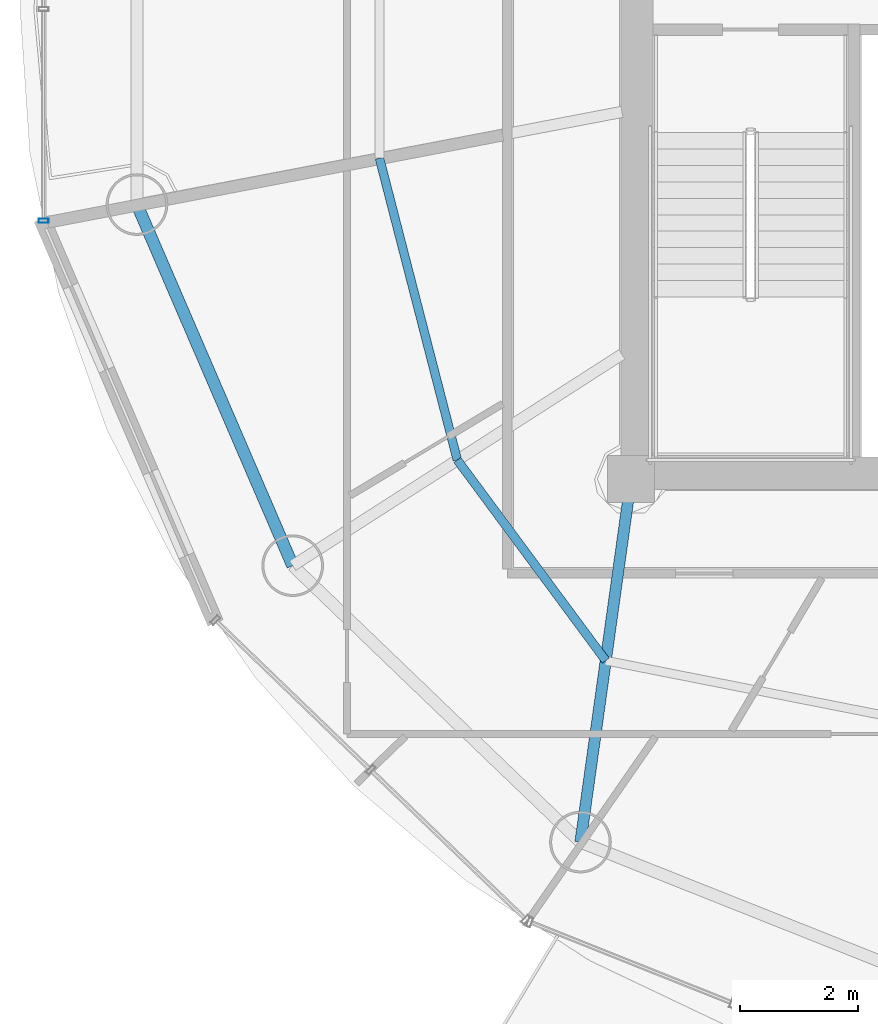
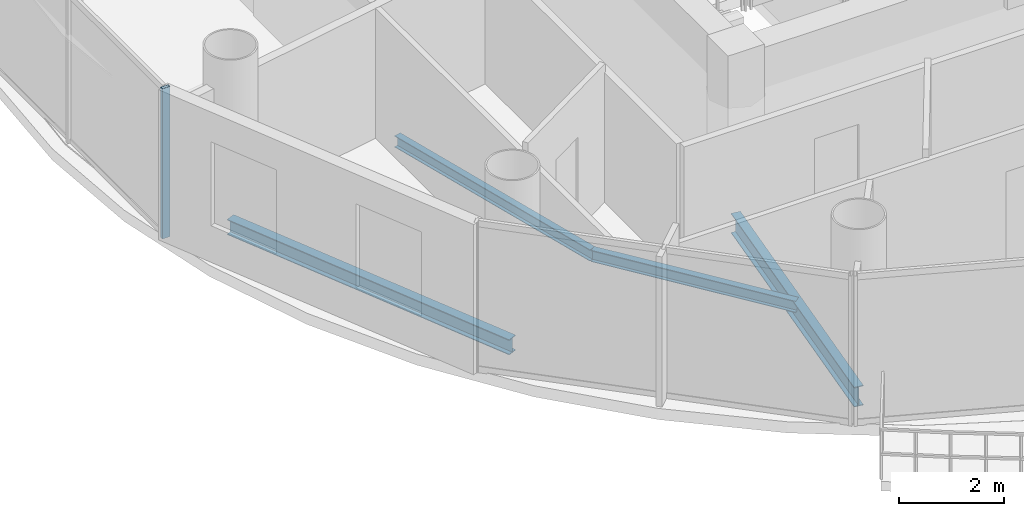
# One storey, part 4 of 23: 4 beams, 1 member, 1 element without a shape of its own.
"""IFC4 building model written with IfcOpenShell, lengths in metres."""

from ifc_helpers import new_model, si_unit, direction, frame, origin, origin_2d, place, context, subcontext, project, spatial, hollow_rectangle, i_section, extrude, source, transform, mapped, material, material_profile, profile_set, type_object, element, aggregate, save


model = new_model("IFC4")

# Units and contexts
model_context = context("Model", 3, precision=1e-05, world=origin(), true_north=direction((-0.2419218956, 0.970295726276)))
body_context = subcontext(model_context, "Body", "Model", "MODEL_VIEW")
ifc_project = project(units=[si_unit("LENGTHUNIT", "METRE"), si_unit("AREAUNIT", "SQUARE_METRE"), si_unit("VOLUMEUNIT", "CUBIC_METRE"), si_unit("PLANEANGLEUNIT", "RADIAN"), si_unit("MASSUNIT", "GRAM", prefix="KILO")], contexts=[model_context])

# Site, building, storey
site_placement = place(None, origin())
site = spatial("IfcSite", under=ifc_project, at=site_placement, CompositionType="ELEMENT")
building_placement = place(site_placement, origin())
building = spatial("IfcBuilding", under=site, at=building_placement, Name="Cobrevalo Terracotta Tower", CompositionType="ELEMENT")
storey_placement = place(building_placement, frame((0.0, 0.0, 248.199951171875)))
storey = spatial("IfcBuildingStorey", under=building, at=storey_placement, Name="L65", CompositionType="ELEMENT", Elevation=248.199951171875)

# Beams
ifc_material_1 = material(Name="Steel S355", Category="steel")
ifc_material_profile_1 = material_profile(ifc_material_1, i_section(OverallWidth=0.19091796875, OverallDepth=0.4599609375, WebThickness=0.010009765625, FlangeThickness=0.01611328125, at=origin_2d()), Name="W 460x82")
ifc_profile_set_1 = profile_set([ifc_material_profile_1], Name="Steel S355")
beam_type_1 = type_object("IfcBeamType", Name="Structural Beam W 460x82 (Steel S355)", PredefinedType="BEAM", material=ifc_profile_set_1)
beam_1_placement = place(storey_placement, frame((28.138671875, 12.62353515625, -0.489990234375), z_axis=(0.138115657759, 0.990416107039, 0.0), x_axis=(-0.990416107039, 0.138115657759, 0.0)))
element("IfcBeam", 1, at=beam_1_placement, inside=storey, type_object=beam_type_1, Name="L65 radial floor girder 11", PredefinedType="BEAM", context=body_context, shape_type="SweptSolid", body=[
    extrude(i_section(OverallWidth=0.19091796875, OverallDepth=0.4599609375, WebThickness=0.010009765625, FlangeThickness=0.01611328125, at=origin_2d()), origin(), (0.0, 0.0, 1.0), 6.236328125),
])
ifc_material_profile_2 = material_profile(ifc_material_1, i_section(OverallWidth=0.14794921875, OverallDepth=0.26611328125, WebThickness=0.007568359375, FlangeThickness=0.012939453125, at=origin_2d()), Name="W 250x44.8")
ifc_profile_set_2 = profile_set([ifc_material_profile_2], Name="Steel S355")
beam_type_2 = type_object("IfcBeamType", Name="Structural Joist W 250x44.8 (Steel S355)", PredefinedType="JOIST", material=ifc_profile_set_2)
beam_2_placement = place(storey_placement, frame((24.718017578125, 24.26220703125, -0.39306640625), z_axis=(0.249816773293, -0.968293126993, 0.0), x_axis=(0.968293126993, 0.249816773293, 0.0)))
element("IfcBeam", 2, at=beam_2_placement, inside=storey, type_object=beam_type_2, Name="L65 circumferential secondary floor joist 09", PredefinedType="JOIST", context=body_context, shape_type="SweptSolid", body=[
    extrude(i_section(OverallWidth=0.14794921875, OverallDepth=0.26611328125, WebThickness=0.007568359375, FlangeThickness=0.012939453125, at=origin_2d()), origin(), (0.0, 0.0, 1.0), 5.3046875),
])
beam_3_placement = place(storey_placement, frame((26.043212890625, 19.125732421875, -0.39306640625), z_axis=(0.594799916617, -0.803873783123, 0.0), x_axis=(0.803873783123, 0.594799916617, 0.0)))
element("IfcBeam", 3, at=beam_3_placement, inside=storey, type_object=beam_type_2, Name="L65 circumferential secondary floor joist 10", PredefinedType="JOIST", context=body_context, shape_type="SweptSolid", body=[
    extrude(i_section(OverallWidth=0.14794921875, OverallDepth=0.26611328125, WebThickness=0.007568359375, FlangeThickness=0.012939453125, at=origin_2d()), origin(), (0.0, 0.0, 1.0), 4.2470703125),
])
ifc_material_profile_3 = material_profile(ifc_material_1, i_section(OverallWidth=0.205078125, OverallDepth=0.35400390625, WebThickness=0.009521484375, FlangeThickness=0.016845703125, at=origin_2d()), Name="W 360x79")
ifc_profile_set_3 = profile_set([ifc_material_profile_3], Name="Steel S355")
beam_type_3 = type_object("IfcBeamType", Name="Structural Spandrel W 360x79 (Steel S355)", PredefinedType="SPANDREL", material=ifc_profile_set_3)
beam_4_placement = place(storey_placement, frame((20.591064453125, 23.4736328125, -0.43701171875), z_axis=(0.395987390706, -0.918255948198, 0.0), x_axis=(0.918255948198, 0.395987390706, 0.0)))
element("IfcBeam", 4, at=beam_4_placement, inside=storey, type_object=beam_type_3, Name="L65 perimeter ring spandrel 09", PredefinedType="SPANDREL", context=body_context, shape_type="SweptSolid", body=[
    extrude(i_section(OverallWidth=0.205078125, OverallDepth=0.35400390625, WebThickness=0.009521484375, FlangeThickness=0.016845703125, at=origin_2d()), origin(), (0.0, 0.0, 1.0), 6.693115234375),
])

# Curtain wall, member
ifc_material_2 = material(Name="Anodized aluminium", Category="aluminium")
curtain_wall_type = type_object("IfcCurtainWallType", Name="Upper-tower triple-glazed penthouse curtain wall CW-U3", PredefinedType="NOTDEFINED", material=ifc_material_2)
curtain_wall_placement = place(storey_placement, origin())
curtain_wall = element("IfcCurtainWall", 5, at=curtain_wall_placement, inside=storey, type_object=curtain_wall_type, Name="L65 curtain wall CW-L65-S08", PredefinedType="NOTDEFINED")
ifc_material_profile_4 = material_profile(ifc_material_2, hollow_rectangle(XDim=0.070068359375, YDim=0.169921875, WallThickness=0.00439453125, at=origin_2d()), Name="CWM 70x170")
ifc_profile_set_4 = profile_set([ifc_material_profile_4], Name="Anodized aluminium")
member_type = type_object("IfcMemberType", Name="Upper tower unitised mullion 70x170", PredefinedType="MULLION", material=ifc_profile_set_4)
shared_shape = source(origin(), body_context, "Body", "SweptSolid", [
    extrude(hollow_rectangle(XDim=0.070068359375, YDim=0.169921875, WallThickness=0.00439453125, at=origin_2d()), origin(), (0.0, 0.0, 1.0), 3.489990234375),
])
member_placement = place(storey_placement, frame((19.002197265625, 23.19775390625, 0.0), z_axis=(0.0, 0.0, 1.0), x_axis=(0.0, -1.0, 0.0)))
member = element("IfcMember", 6, at=member_placement, type_object=member_type, Name="CW-L65-S08 vertical mullion 03", PredefinedType="MULLION", context=body_context, shape_type="MappedRepresentation", body=[
    mapped(shared_shape, transform((0.0, 0.0, 0.0), scale=1.0)),
])
aggregate(curtain_wall, [member])

save(model, "model.ifc")
